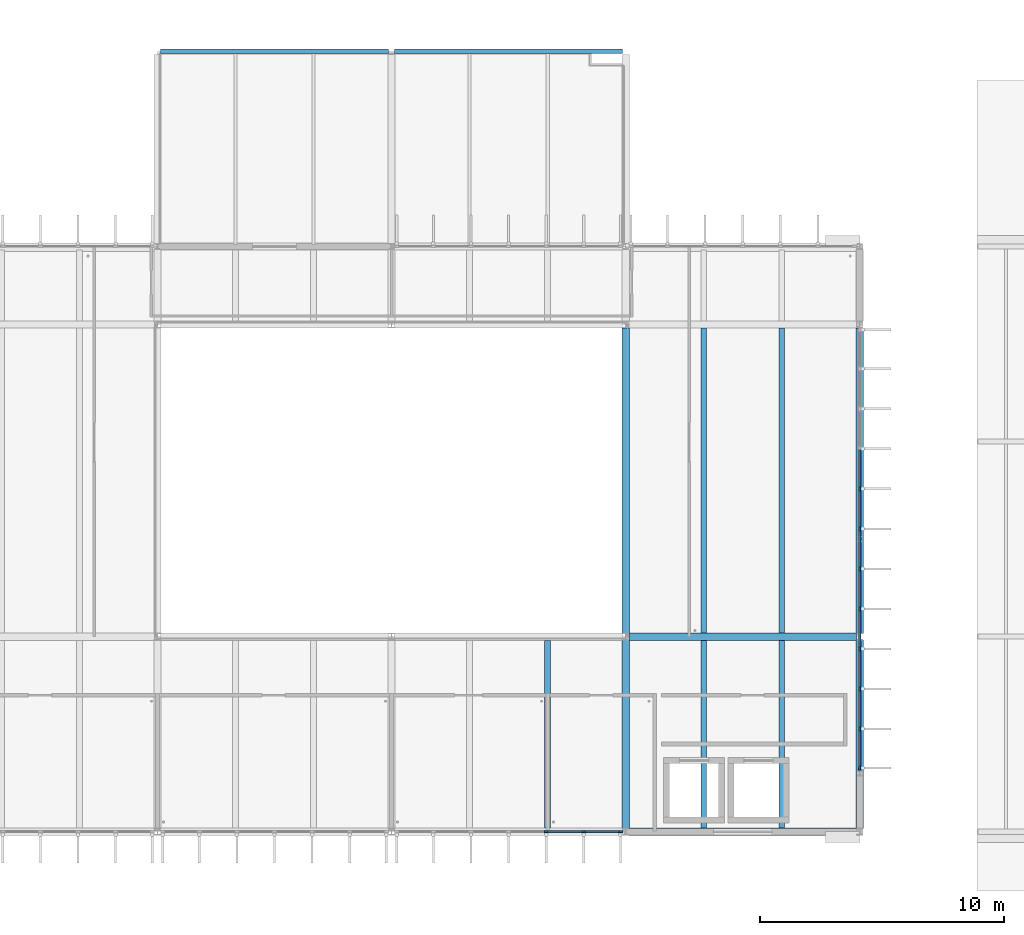
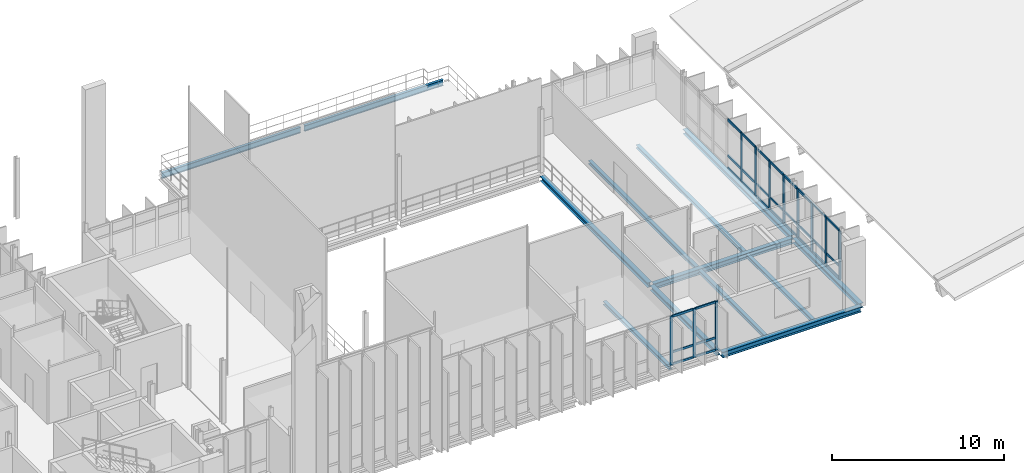
# One storey, part 15 of 41: 41 members, 13 beams, 2 elements without a shape of their own.
"""IFC4 building model written with IfcOpenShell, lengths in metres."""

from ifc_helpers import new_model, si_unit, direction, frame, origin, origin_2d, place, context, subcontext, project, spatial, rectangle, i_section, extrude, material, material_profile, profile_set, type_object, element, aggregate, save


model = new_model("IFC4")

# Units and contexts
model_context = context("Model", 3, precision=1e-05, world=origin(), true_north=direction((0.0, 1.0)))
body_context = subcontext(model_context, "Body", "Model", "MODEL_VIEW")
ifc_project = project(units=[si_unit("LENGTHUNIT", "METRE"), si_unit("AREAUNIT", "SQUARE_METRE"), si_unit("VOLUMEUNIT", "CUBIC_METRE"), si_unit("PLANEANGLEUNIT", "RADIAN"), si_unit("MASSUNIT", "GRAM", prefix="KILO")], contexts=[model_context])

# Site, building, storey
site_placement = place(None, origin())
site = spatial("IfcSite", under=ifc_project, at=site_placement, CompositionType="ELEMENT")
building_placement = place(site_placement, origin())
building = spatial("IfcBuilding", under=site, at=building_placement, Name="Dunescarp Central Library", CompositionType="ELEMENT")
storey_placement = place(building_placement, frame((0.0, 0.0, 23.10009765625)))
storey = spatial("IfcBuildingStorey", under=building, at=storey_placement, Name="L05", CompositionType="ELEMENT", Elevation=23.10009765625)

# Curtain wall, members
ifc_material_1 = material(Name="Marine-grade anodised aluminium 6063-T6", Category="aluminium")
curtain_wall_type = type_object("IfcCurtainWallType", Name="ARC-CW-STICK", PredefinedType="NOTDEFINED", material=ifc_material_1)
curtain_wall_1_placement = place(storey_placement, origin())
curtain_wall_1 = element("IfcCurtainWall", 1, at=curtain_wall_1_placement, inside=storey, type_object=curtain_wall_type, Name="L05 curtain wall CW-V2-076", PredefinedType="NOTDEFINED")
ifc_material_profile_1 = material_profile(ifc_material_1, rectangle(XDim=0.080078125, YDim=0.179931640625, at=origin_2d()), Name="AL 80x180")
ifc_profile_set_1 = profile_set([ifc_material_profile_1], Name="Marine-grade anodised aluminium 6063-T6")
member_type_1 = type_object("IfcMemberType", Name="ARC-CWM-180", PredefinedType="MULLION", material=ifc_profile_set_1)
member_1_placement = place(storey_placement, frame((66.985107421875, 4.800048828125, 0.0), z_axis=(0.0, 0.0, 1.0), x_axis=(0.0, -1.0, 0.0)))
member_1 = element("IfcMember", 2, at=member_1_placement, type_object=member_type_1, Name="CW-V2-076 mullion 1", PredefinedType="MULLION", context=body_context, shape_type="SweptSolid", body=[
    extrude(rectangle(XDim=0.080078125, YDim=0.179931640625, at=origin_2d()), origin(), (0.0, 0.0, 1.0), 3.472900390625),
])
member_2_placement = place(storey_placement, frame((65.4833984375, 4.800048828125, 0.0), z_axis=(0.0, 0.0, 1.0), x_axis=(0.0, -1.0, 0.0)))
member_2 = element("IfcMember", 3, at=member_2_placement, type_object=member_type_1, Name="CW-V2-076 mullion 2", PredefinedType="MULLION", context=body_context, shape_type="SweptSolid", body=[
    extrude(rectangle(XDim=0.080078125, YDim=0.179931640625, at=origin_2d()), origin(), (0.0, 0.0, 1.0), 3.472900390625),
])
member_3_placement = place(storey_placement, frame((63.941650390625, 4.800048828125, 0.0), z_axis=(0.0, 0.0, 1.0), x_axis=(0.0, -1.0, 0.0)))
member_3 = element("IfcMember", 4, at=member_3_placement, type_object=member_type_1, Name="CW-V2-076 mullion 3", PredefinedType="MULLION", context=body_context, shape_type="SweptSolid", body=[
    extrude(rectangle(XDim=0.080078125, YDim=0.179931640625, at=origin_2d()), origin(), (0.0, 0.0, 1.0), 3.472900390625),
])

curtain_wall_2_placement = place(storey_placement, origin())
curtain_wall_2 = element("IfcCurtainWall", 5, at=curtain_wall_2_placement, inside=storey, type_object=curtain_wall_type, Name="L05 curtain wall CW-V2-080", PredefinedType="NOTDEFINED")
member_4_placement = place(storey_placement, frame((76.800048828125, 18.861328125, 0.0), z_axis=(0.0, 0.0, 1.0), x_axis=(1.0, 0.0, 0.0)))
member_4 = element("IfcMember", 6, at=member_4_placement, type_object=member_type_1, Name="CW-V2-080 mullion 5", PredefinedType="MULLION", context=body_context, shape_type="SweptSolid", body=[
    extrude(rectangle(XDim=0.080078125, YDim=0.179931640625, at=origin_2d()), origin(), (0.0, 0.0, 1.0), 3.472900390625),
])
member_5_placement = place(storey_placement, frame((76.800048828125, 17.220458984375, 0.0), z_axis=(0.0, 0.0, 1.0), x_axis=(1.0, 0.0, 0.0)))
member_5 = element("IfcMember", 7, at=member_5_placement, type_object=member_type_1, Name="CW-V2-080 mullion 6", PredefinedType="MULLION", context=body_context, shape_type="SweptSolid", body=[
    extrude(rectangle(XDim=0.080078125, YDim=0.179931640625, at=origin_2d()), origin(), (0.0, 0.0, 1.0), 3.472900390625),
])
member_6_placement = place(storey_placement, frame((76.800048828125, 15.57958984375, 0.0), z_axis=(0.0, 0.0, 1.0), x_axis=(1.0, 0.0, 0.0)))
member_6 = element("IfcMember", 8, at=member_6_placement, type_object=member_type_1, Name="CW-V2-080 mullion 7", PredefinedType="MULLION", context=body_context, shape_type="SweptSolid", body=[
    extrude(rectangle(XDim=0.080078125, YDim=0.179931640625, at=origin_2d()), origin(), (0.0, 0.0, 1.0), 3.472900390625),
])
member_7_placement = place(storey_placement, frame((76.800048828125, 13.938720703125, 0.0), z_axis=(0.0, 0.0, 1.0), x_axis=(1.0, 0.0, 0.0)))
member_7 = element("IfcMember", 9, at=member_7_placement, type_object=member_type_1, Name="CW-V2-080 mullion 8", PredefinedType="MULLION", context=body_context, shape_type="SweptSolid", body=[
    extrude(rectangle(XDim=0.080078125, YDim=0.179931640625, at=origin_2d()), origin(), (0.0, 0.0, 1.0), 3.472900390625),
])
member_8_placement = place(storey_placement, frame((76.800048828125, 12.297607421875, 0.0), z_axis=(0.0, 0.0, 1.0), x_axis=(1.0, 0.0, 0.0)))
member_8 = element("IfcMember", 10, at=member_8_placement, type_object=member_type_1, Name="CW-V2-080 mullion 9", PredefinedType="MULLION", context=body_context, shape_type="SweptSolid", body=[
    extrude(rectangle(XDim=0.080078125, YDim=0.179931640625, at=origin_2d()), origin(), (0.0, 0.0, 1.0), 3.472900390625),
])
member_9_placement = place(storey_placement, frame((76.800048828125, 10.65673828125, 0.0), z_axis=(0.0, 0.0, 1.0), x_axis=(1.0, 0.0, 0.0)))
member_9 = element("IfcMember", 11, at=member_9_placement, type_object=member_type_1, Name="CW-V2-080 mullion 10", PredefinedType="MULLION", context=body_context, shape_type="SweptSolid", body=[
    extrude(rectangle(XDim=0.080078125, YDim=0.179931640625, at=origin_2d()), origin(), (0.0, 0.0, 1.0), 3.472900390625),
])
member_10_placement = place(storey_placement, frame((76.800048828125, 9.015869140625, 0.0), z_axis=(0.0, 0.0, 1.0), x_axis=(1.0, 0.0, 0.0)))
member_10 = element("IfcMember", 12, at=member_10_placement, type_object=member_type_1, Name="CW-V2-080 mullion 11", PredefinedType="MULLION", context=body_context, shape_type="SweptSolid", body=[
    extrude(rectangle(XDim=0.080078125, YDim=0.179931640625, at=origin_2d()), origin(), (0.0, 0.0, 1.0), 3.472900390625),
])
member_11_placement = place(storey_placement, frame((76.800048828125, 7.4150390625, 0.0), z_axis=(0.0, 0.0, 1.0), x_axis=(1.0, 0.0, 0.0)))
member_11 = element("IfcMember", 13, at=member_11_placement, type_object=member_type_1, Name="CW-V2-080 mullion 12", PredefinedType="MULLION", context=body_context, shape_type="SweptSolid", body=[
    extrude(rectangle(XDim=0.080078125, YDim=0.179931640625, at=origin_2d()), origin(), (0.0, 0.0, 1.0), 3.472900390625),
])

# Member
ifc_material_profile_2 = material_profile(ifc_material_1, rectangle(XDim=0.080078125, YDim=0.14990234375, at=origin_2d()), Name="AL 80x150")
ifc_profile_set_2 = profile_set([ifc_material_profile_2], Name="Marine-grade anodised aluminium 6063-T6")
member_type_2 = type_object("IfcMemberType", Name="ARC-CWT-150", PredefinedType="USERDEFINED", material=ifc_profile_set_2)
member_12_placement = place(storey_placement, frame((66.945068359375, 4.800048828125, 0.039794921875), z_axis=(-1.0, 0.0, 0.0), x_axis=(0.0, -1.0, 0.0)))
member_12 = element("IfcMember", 14, at=member_12_placement, type_object=member_type_2, Name="CW-V2-076 transom 1.1", ObjectType="TRANSOM", PredefinedType="USERDEFINED", context=body_context, shape_type="SweptSolid", body=[
    extrude(rectangle(XDim=0.080078125, YDim=0.14990234375, at=origin_2d()), origin(), (0.0, 0.0, 1.0), 1.421630859375),
])

member_13_placement = place(storey_placement, frame((66.945068359375, 4.800048828125, 0.89990234375), z_axis=(-1.0, 0.0, 0.0), x_axis=(0.0, -1.0, 0.0)))
member_13 = element("IfcMember", 15, at=member_13_placement, type_object=member_type_2, Name="CW-V2-076 transom 1.2", ObjectType="TRANSOM", PredefinedType="USERDEFINED", context=body_context, shape_type="SweptSolid", body=[
    extrude(rectangle(XDim=0.080078125, YDim=0.14990234375, at=origin_2d()), origin(), (0.0, 0.0, 1.0), 1.421630859375),
])

member_14_placement = place(storey_placement, frame((66.945068359375, 4.800048828125, 3.432861328125), z_axis=(-1.0, 0.0, 0.0), x_axis=(0.0, -1.0, 0.0)))
member_14 = element("IfcMember", 16, at=member_14_placement, type_object=member_type_2, Name="CW-V2-076 transom 1.3", ObjectType="TRANSOM", PredefinedType="USERDEFINED", context=body_context, shape_type="SweptSolid", body=[
    extrude(rectangle(XDim=0.080078125, YDim=0.14990234375, at=origin_2d()), origin(), (0.0, 0.0, 1.0), 1.421630859375),
])

member_15_placement = place(storey_placement, frame((65.443359375, 4.800048828125, 0.039794921875), z_axis=(-1.0, 0.0, 0.0), x_axis=(0.0, -1.0, 0.0)))
member_15 = element("IfcMember", 17, at=member_15_placement, type_object=member_type_2, Name="CW-V2-076 transom 2.1", ObjectType="TRANSOM", PredefinedType="USERDEFINED", context=body_context, shape_type="SweptSolid", body=[
    extrude(rectangle(XDim=0.080078125, YDim=0.14990234375, at=origin_2d()), origin(), (0.0, 0.0, 1.0), 1.461669921875),
])

member_16_placement = place(storey_placement, frame((65.443359375, 4.800048828125, 0.89990234375), z_axis=(-1.0, 0.0, 0.0), x_axis=(0.0, -1.0, 0.0)))
member_16 = element("IfcMember", 18, at=member_16_placement, type_object=member_type_2, Name="CW-V2-076 transom 2.2", ObjectType="TRANSOM", PredefinedType="USERDEFINED", context=body_context, shape_type="SweptSolid", body=[
    extrude(rectangle(XDim=0.080078125, YDim=0.14990234375, at=origin_2d()), origin(), (0.0, 0.0, 1.0), 1.461669921875),
])

member_17_placement = place(storey_placement, frame((65.443359375, 4.800048828125, 3.432861328125), z_axis=(-1.0, 0.0, 0.0), x_axis=(0.0, -1.0, 0.0)))
member_17 = element("IfcMember", 19, at=member_17_placement, type_object=member_type_2, Name="CW-V2-076 transom 2.3", ObjectType="TRANSOM", PredefinedType="USERDEFINED", context=body_context, shape_type="SweptSolid", body=[
    extrude(rectangle(XDim=0.080078125, YDim=0.14990234375, at=origin_2d()), origin(), (0.0, 0.0, 1.0), 1.461669921875),
])

aggregate(curtain_wall_1, [member_1, member_2, member_3, member_12, member_13, member_14, member_15, member_16, member_17])

member_18_placement = place(storey_placement, frame((76.800048828125, 20.462158203125, 0.039794921875), z_axis=(0.0, -1.0, 0.0), x_axis=(1.0, 0.0, 0.0)))
member_18 = element("IfcMember", 20, at=member_18_placement, type_object=member_type_2, Name="CW-V2-080 transom 4.1", ObjectType="TRANSOM", PredefinedType="USERDEFINED", context=body_context, shape_type="SweptSolid", body=[
    extrude(rectangle(XDim=0.080078125, YDim=0.14990234375, at=origin_2d()), origin(), (0.0, 0.0, 1.0), 1.560791015625),
])

member_19_placement = place(storey_placement, frame((76.800048828125, 20.462158203125, 0.89990234375), z_axis=(0.0, -1.0, 0.0), x_axis=(1.0, 0.0, 0.0)))
member_19 = element("IfcMember", 21, at=member_19_placement, type_object=member_type_2, Name="CW-V2-080 transom 4.2", ObjectType="TRANSOM", PredefinedType="USERDEFINED", context=body_context, shape_type="SweptSolid", body=[
    extrude(rectangle(XDim=0.080078125, YDim=0.14990234375, at=origin_2d()), origin(), (0.0, 0.0, 1.0), 1.560791015625),
])

member_20_placement = place(storey_placement, frame((76.800048828125, 20.462158203125, 3.432861328125), z_axis=(0.0, -1.0, 0.0), x_axis=(1.0, 0.0, 0.0)))
member_20 = element("IfcMember", 22, at=member_20_placement, type_object=member_type_2, Name="CW-V2-080 transom 4.3", ObjectType="TRANSOM", PredefinedType="USERDEFINED", context=body_context, shape_type="SweptSolid", body=[
    extrude(rectangle(XDim=0.080078125, YDim=0.14990234375, at=origin_2d()), origin(), (0.0, 0.0, 1.0), 1.560791015625),
])

member_21_placement = place(storey_placement, frame((76.800048828125, 18.8212890625, 0.039794921875), z_axis=(0.0, -1.0, 0.0), x_axis=(1.0, 0.0, 0.0)))
member_21 = element("IfcMember", 23, at=member_21_placement, type_object=member_type_2, Name="CW-V2-080 transom 5.1", ObjectType="TRANSOM", PredefinedType="USERDEFINED", context=body_context, shape_type="SweptSolid", body=[
    extrude(rectangle(XDim=0.080078125, YDim=0.14990234375, at=origin_2d()), origin(), (0.0, 0.0, 1.0), 1.560791015625),
])

member_22_placement = place(storey_placement, frame((76.800048828125, 18.8212890625, 0.89990234375), z_axis=(0.0, -1.0, 0.0), x_axis=(1.0, 0.0, 0.0)))
member_22 = element("IfcMember", 24, at=member_22_placement, type_object=member_type_2, Name="CW-V2-080 transom 5.2", ObjectType="TRANSOM", PredefinedType="USERDEFINED", context=body_context, shape_type="SweptSolid", body=[
    extrude(rectangle(XDim=0.080078125, YDim=0.14990234375, at=origin_2d()), origin(), (0.0, 0.0, 1.0), 1.560791015625),
])

member_23_placement = place(storey_placement, frame((76.800048828125, 18.8212890625, 3.432861328125), z_axis=(0.0, -1.0, 0.0), x_axis=(1.0, 0.0, 0.0)))
member_23 = element("IfcMember", 25, at=member_23_placement, type_object=member_type_2, Name="CW-V2-080 transom 5.3", ObjectType="TRANSOM", PredefinedType="USERDEFINED", context=body_context, shape_type="SweptSolid", body=[
    extrude(rectangle(XDim=0.080078125, YDim=0.14990234375, at=origin_2d()), origin(), (0.0, 0.0, 1.0), 1.560791015625),
])

member_24_placement = place(storey_placement, frame((76.800048828125, 17.180419921875, 0.039794921875), z_axis=(0.0, -1.0, 0.0), x_axis=(1.0, 0.0, 0.0)))
member_24 = element("IfcMember", 26, at=member_24_placement, type_object=member_type_2, Name="CW-V2-080 transom 6.1", ObjectType="TRANSOM", PredefinedType="USERDEFINED", context=body_context, shape_type="SweptSolid", body=[
    extrude(rectangle(XDim=0.080078125, YDim=0.14990234375, at=origin_2d()), origin(), (0.0, 0.0, 1.0), 1.560791015625),
])

member_25_placement = place(storey_placement, frame((76.800048828125, 17.180419921875, 0.89990234375), z_axis=(0.0, -1.0, 0.0), x_axis=(1.0, 0.0, 0.0)))
member_25 = element("IfcMember", 27, at=member_25_placement, type_object=member_type_2, Name="CW-V2-080 transom 6.2", ObjectType="TRANSOM", PredefinedType="USERDEFINED", context=body_context, shape_type="SweptSolid", body=[
    extrude(rectangle(XDim=0.080078125, YDim=0.14990234375, at=origin_2d()), origin(), (0.0, 0.0, 1.0), 1.560791015625),
])

member_26_placement = place(storey_placement, frame((76.800048828125, 17.180419921875, 3.432861328125), z_axis=(0.0, -1.0, 0.0), x_axis=(1.0, 0.0, 0.0)))
member_26 = element("IfcMember", 28, at=member_26_placement, type_object=member_type_2, Name="CW-V2-080 transom 6.3", ObjectType="TRANSOM", PredefinedType="USERDEFINED", context=body_context, shape_type="SweptSolid", body=[
    extrude(rectangle(XDim=0.080078125, YDim=0.14990234375, at=origin_2d()), origin(), (0.0, 0.0, 1.0), 1.560791015625),
])

member_27_placement = place(storey_placement, frame((76.800048828125, 15.53955078125, 0.039794921875), z_axis=(0.0, -1.0, 0.0), x_axis=(1.0, 0.0, 0.0)))
member_27 = element("IfcMember", 29, at=member_27_placement, type_object=member_type_2, Name="CW-V2-080 transom 7.1", ObjectType="TRANSOM", PredefinedType="USERDEFINED", context=body_context, shape_type="SweptSolid", body=[
    extrude(rectangle(XDim=0.080078125, YDim=0.14990234375, at=origin_2d()), origin(), (0.0, 0.0, 1.0), 1.56103515625),
])

member_28_placement = place(storey_placement, frame((76.800048828125, 15.53955078125, 0.89990234375), z_axis=(0.0, -1.0, 0.0), x_axis=(1.0, 0.0, 0.0)))
member_28 = element("IfcMember", 30, at=member_28_placement, type_object=member_type_2, Name="CW-V2-080 transom 7.2", ObjectType="TRANSOM", PredefinedType="USERDEFINED", context=body_context, shape_type="SweptSolid", body=[
    extrude(rectangle(XDim=0.080078125, YDim=0.14990234375, at=origin_2d()), origin(), (0.0, 0.0, 1.0), 1.56103515625),
])

member_29_placement = place(storey_placement, frame((76.800048828125, 15.53955078125, 3.432861328125), z_axis=(0.0, -1.0, 0.0), x_axis=(1.0, 0.0, 0.0)))
member_29 = element("IfcMember", 31, at=member_29_placement, type_object=member_type_2, Name="CW-V2-080 transom 7.3", ObjectType="TRANSOM", PredefinedType="USERDEFINED", context=body_context, shape_type="SweptSolid", body=[
    extrude(rectangle(XDim=0.080078125, YDim=0.14990234375, at=origin_2d()), origin(), (0.0, 0.0, 1.0), 1.56103515625),
])

member_30_placement = place(storey_placement, frame((76.800048828125, 13.898681640625, 0.039794921875), z_axis=(0.0, -1.0, 0.0), x_axis=(1.0, 0.0, 0.0)))
member_30 = element("IfcMember", 32, at=member_30_placement, type_object=member_type_2, Name="CW-V2-080 transom 8.1", ObjectType="TRANSOM", PredefinedType="USERDEFINED", context=body_context, shape_type="SweptSolid", body=[
    extrude(rectangle(XDim=0.080078125, YDim=0.14990234375, at=origin_2d()), origin(), (0.0, 0.0, 1.0), 1.56103515625),
])

member_31_placement = place(storey_placement, frame((76.800048828125, 13.898681640625, 0.89990234375), z_axis=(0.0, -1.0, 0.0), x_axis=(1.0, 0.0, 0.0)))
member_31 = element("IfcMember", 33, at=member_31_placement, type_object=member_type_2, Name="CW-V2-080 transom 8.2", ObjectType="TRANSOM", PredefinedType="USERDEFINED", context=body_context, shape_type="SweptSolid", body=[
    extrude(rectangle(XDim=0.080078125, YDim=0.14990234375, at=origin_2d()), origin(), (0.0, 0.0, 1.0), 1.56103515625),
])

member_32_placement = place(storey_placement, frame((76.800048828125, 13.898681640625, 3.432861328125), z_axis=(0.0, -1.0, 0.0), x_axis=(1.0, 0.0, 0.0)))
member_32 = element("IfcMember", 34, at=member_32_placement, type_object=member_type_2, Name="CW-V2-080 transom 8.3", ObjectType="TRANSOM", PredefinedType="USERDEFINED", context=body_context, shape_type="SweptSolid", body=[
    extrude(rectangle(XDim=0.080078125, YDim=0.14990234375, at=origin_2d()), origin(), (0.0, 0.0, 1.0), 1.56103515625),
])

member_33_placement = place(storey_placement, frame((76.800048828125, 12.2578125, 0.039794921875), z_axis=(0.0, -1.0, 0.0), x_axis=(1.0, 0.0, 0.0)))
member_33 = element("IfcMember", 35, at=member_33_placement, type_object=member_type_2, Name="CW-V2-080 transom 9.1", ObjectType="TRANSOM", PredefinedType="USERDEFINED", context=body_context, shape_type="SweptSolid", body=[
    extrude(rectangle(XDim=0.080078125, YDim=0.14990234375, at=origin_2d()), origin(), (0.0, 0.0, 1.0), 1.56103515625),
])

member_34_placement = place(storey_placement, frame((76.800048828125, 12.2578125, 0.89990234375), z_axis=(0.0, -1.0, 0.0), x_axis=(1.0, 0.0, 0.0)))
member_34 = element("IfcMember", 36, at=member_34_placement, type_object=member_type_2, Name="CW-V2-080 transom 9.2", ObjectType="TRANSOM", PredefinedType="USERDEFINED", context=body_context, shape_type="SweptSolid", body=[
    extrude(rectangle(XDim=0.080078125, YDim=0.14990234375, at=origin_2d()), origin(), (0.0, 0.0, 1.0), 1.56103515625),
])

member_35_placement = place(storey_placement, frame((76.800048828125, 12.2578125, 3.432861328125), z_axis=(0.0, -1.0, 0.0), x_axis=(1.0, 0.0, 0.0)))
member_35 = element("IfcMember", 37, at=member_35_placement, type_object=member_type_2, Name="CW-V2-080 transom 9.3", ObjectType="TRANSOM", PredefinedType="USERDEFINED", context=body_context, shape_type="SweptSolid", body=[
    extrude(rectangle(XDim=0.080078125, YDim=0.14990234375, at=origin_2d()), origin(), (0.0, 0.0, 1.0), 1.56103515625),
])

member_36_placement = place(storey_placement, frame((76.800048828125, 10.61669921875, 0.039794921875), z_axis=(0.0, -1.0, 0.0), x_axis=(1.0, 0.0, 0.0)))
member_36 = element("IfcMember", 38, at=member_36_placement, type_object=member_type_2, Name="CW-V2-080 transom 10.1", ObjectType="TRANSOM", PredefinedType="USERDEFINED", context=body_context, shape_type="SweptSolid", body=[
    extrude(rectangle(XDim=0.080078125, YDim=0.14990234375, at=origin_2d()), origin(), (0.0, 0.0, 1.0), 1.560791015625),
])

member_37_placement = place(storey_placement, frame((76.800048828125, 10.61669921875, 0.89990234375), z_axis=(0.0, -1.0, 0.0), x_axis=(1.0, 0.0, 0.0)))
member_37 = element("IfcMember", 39, at=member_37_placement, type_object=member_type_2, Name="CW-V2-080 transom 10.2", ObjectType="TRANSOM", PredefinedType="USERDEFINED", context=body_context, shape_type="SweptSolid", body=[
    extrude(rectangle(XDim=0.080078125, YDim=0.14990234375, at=origin_2d()), origin(), (0.0, 0.0, 1.0), 1.560791015625),
])

member_38_placement = place(storey_placement, frame((76.800048828125, 10.61669921875, 3.432861328125), z_axis=(0.0, -1.0, 0.0), x_axis=(1.0, 0.0, 0.0)))
member_38 = element("IfcMember", 40, at=member_38_placement, type_object=member_type_2, Name="CW-V2-080 transom 10.3", ObjectType="TRANSOM", PredefinedType="USERDEFINED", context=body_context, shape_type="SweptSolid", body=[
    extrude(rectangle(XDim=0.080078125, YDim=0.14990234375, at=origin_2d()), origin(), (0.0, 0.0, 1.0), 1.560791015625),
])

member_39_placement = place(storey_placement, frame((76.800048828125, 8.975830078125, 0.039794921875), z_axis=(0.0, -1.0, 0.0), x_axis=(1.0, 0.0, 0.0)))
member_39 = element("IfcMember", 41, at=member_39_placement, type_object=member_type_2, Name="CW-V2-080 transom 11.1", ObjectType="TRANSOM", PredefinedType="USERDEFINED", context=body_context, shape_type="SweptSolid", body=[
    extrude(rectangle(XDim=0.080078125, YDim=0.14990234375, at=origin_2d()), origin(), (0.0, 0.0, 1.0), 1.520751953125),
])

member_40_placement = place(storey_placement, frame((76.800048828125, 8.975830078125, 0.89990234375), z_axis=(0.0, -1.0, 0.0), x_axis=(1.0, 0.0, 0.0)))
member_40 = element("IfcMember", 42, at=member_40_placement, type_object=member_type_2, Name="CW-V2-080 transom 11.2", ObjectType="TRANSOM", PredefinedType="USERDEFINED", context=body_context, shape_type="SweptSolid", body=[
    extrude(rectangle(XDim=0.080078125, YDim=0.14990234375, at=origin_2d()), origin(), (0.0, 0.0, 1.0), 1.520751953125),
])

member_41_placement = place(storey_placement, frame((76.800048828125, 8.975830078125, 3.432861328125), z_axis=(0.0, -1.0, 0.0), x_axis=(1.0, 0.0, 0.0)))
member_41 = element("IfcMember", 43, at=member_41_placement, type_object=member_type_2, Name="CW-V2-080 transom 11.3", ObjectType="TRANSOM", PredefinedType="USERDEFINED", context=body_context, shape_type="SweptSolid", body=[
    extrude(rectangle(XDim=0.080078125, YDim=0.14990234375, at=origin_2d()), origin(), (0.0, 0.0, 1.0), 1.520751953125),
])

aggregate(curtain_wall_2, [member_4, member_5, member_6, member_7, member_8, member_9, member_10, member_11, member_18, member_19, member_20, member_21, member_22, member_23, member_24, member_25, member_26, member_27, member_28, member_29, member_30, member_31, member_32, member_33, member_34, member_35, member_36, member_37, member_38, member_39, member_40, member_41])

# Beams
ifc_material_2 = material(Name="Steel S355JR", Category="steel")
ifc_material_profile_3 = material_profile(ifc_material_2, i_section(OverallWidth=0.300048828125, OverallDepth=0.330078125, WebThickness=0.009521484375, FlangeThickness=0.0166015625, at=origin_2d()), Name="HEA 340")
ifc_profile_set_3 = profile_set([ifc_material_profile_3], Name="Steel S355JR")
beam_type_1 = type_object("IfcBeamType", Name="STR-BM-HEA340", PredefinedType="BEAM", material=ifc_profile_set_3)
beam_1_placement = place(storey_placement, frame((67.199951171875, 4.93505859375, -0.385009765625), z_axis=(0.0, 1.0, 0.0), x_axis=(-1.0, 0.0, 0.0)))
element("IfcBeam", 44, at=beam_1_placement, inside=storey, type_object=beam_type_1, Name="L05 girder BM-L05-0633", PredefinedType="BEAM", context=body_context, shape_type="SweptSolid", body=[
    extrude(i_section(OverallWidth=0.300048828125, OverallDepth=0.330078125, WebThickness=0.009521484375, FlangeThickness=0.0166015625, at=origin_2d()), origin(), (0.0, 0.0, 1.0), 7.72998046875),
])
beam_2_placement = place(storey_placement, frame((67.199951171875, 12.93505859375, -0.385009765625), z_axis=(0.0, 1.0, 0.0), x_axis=(-1.0, 0.0, 0.0)))
element("IfcBeam", 45, at=beam_2_placement, inside=storey, type_object=beam_type_1, Name="L05 girder BM-L05-0637", PredefinedType="BEAM", context=body_context, shape_type="SweptSolid", body=[
    extrude(i_section(OverallWidth=0.300048828125, OverallDepth=0.330078125, WebThickness=0.009521484375, FlangeThickness=0.0166015625, at=origin_2d()), origin(), (0.0, 0.0, 1.0), 12.530029296875),
])
beam_3_placement = place(storey_placement, frame((76.800048828125, 4.93505859375, -0.385009765625), z_axis=(0.0, 1.0, 0.0), x_axis=(-1.0, 0.0, 0.0)))
element("IfcBeam", 46, at=beam_3_placement, inside=storey, type_object=beam_type_1, Name="L05 girder BM-L05-0644", PredefinedType="BEAM", context=body_context, shape_type="SweptSolid", body=[
    extrude(i_section(OverallWidth=0.300048828125, OverallDepth=0.330078125, WebThickness=0.009521484375, FlangeThickness=0.0166015625, at=origin_2d()), origin(), (0.0, 0.0, 1.0), 7.72998046875),
])
beam_4_placement = place(storey_placement, frame((76.800048828125, 12.93505859375, -0.385009765625), z_axis=(0.0, 1.0, 0.0), x_axis=(-1.0, 0.0, 0.0)))
element("IfcBeam", 47, at=beam_4_placement, inside=storey, type_object=beam_type_1, Name="L05 girder BM-L05-0648", PredefinedType="BEAM", context=body_context, shape_type="SweptSolid", body=[
    extrude(i_section(OverallWidth=0.300048828125, OverallDepth=0.330078125, WebThickness=0.009521484375, FlangeThickness=0.0166015625, at=origin_2d()), origin(), (0.0, 0.0, 1.0), 12.530029296875),
])
ifc_material_profile_4 = material_profile(ifc_material_2, i_section(OverallWidth=0.300048828125, OverallDepth=0.39990234375, WebThickness=0.013427734375, FlangeThickness=0.02392578125, at=origin_2d()), Name="HEB 400")
ifc_profile_set_4 = profile_set([ifc_material_profile_4], Name="Steel S355JR")
beam_type_2 = type_object("IfcBeamType", Name="STR-BM-HEB400", PredefinedType="BEAM", material=ifc_profile_set_4)
for number, where, z_axis, x_axis, name in (
    (48, (67.327880859375, 4.800048828125, -0.420166015625), (1.0, 0.0, 0.0), (0.0, 1.0, 0.0), "L05 girder BM-L05-0642"),
    (49, (67.327880859375, 12.800048828125, -0.420166015625), (1.0, 0.0, 0.0), (0.0, 1.0, 0.0), "L05 girder BM-L05-0643"),
):
    element("IfcBeam", number, at=place(storey_placement, frame(where, z_axis=z_axis, x_axis=x_axis)), inside=storey, type_object=beam_type_2, Name=name, PredefinedType="BEAM", context=body_context, shape_type="SweptSolid", body=[
        extrude(i_section(OverallWidth=0.300048828125, OverallDepth=0.39990234375, WebThickness=0.013427734375, FlangeThickness=0.02392578125, at=origin_2d()), origin(), (0.0, 0.0, 1.0), 9.34423828125),
    ])
ifc_material_profile_5 = material_profile(ifc_material_2, i_section(OverallWidth=0.239990234375, OverallDepth=0.22998046875, WebThickness=0.007568359375, FlangeThickness=0.011962890625, at=origin_2d()), Name="HEA 240")
ifc_profile_set_5 = profile_set([ifc_material_profile_5], Name="Steel S355JR")
beam_type_3 = type_object("IfcBeamType", Name="STR-JS-HEA240", PredefinedType="JOIST", material=ifc_profile_set_5)
for number, where, z_axis, x_axis, name in (
    (50, (64.0, 4.947998046875, -0.335205078125), (0.0, 1.0, 0.0), (-1.0, 0.0, 0.0), "L05 joist JS-L05-0635"),
    (51, (70.39990234375, 4.947998046875, -0.335205078125), (0.0, 1.0, 0.0), (-1.0, 0.0, 0.0), "L05 joist JS-L05-0645"),
    (52, (73.60009765625, 4.947998046875, -0.335205078125), (0.0, 1.0, 0.0), (-1.0, 0.0, 0.0), "L05 joist JS-L05-0646"),
):
    element("IfcBeam", number, at=place(storey_placement, frame(where, z_axis=z_axis, x_axis=x_axis)), inside=storey, type_object=beam_type_3, Name=name, PredefinedType="JOIST", context=body_context, shape_type="SweptSolid", body=[
        extrude(i_section(OverallWidth=0.239990234375, OverallDepth=0.22998046875, WebThickness=0.007568359375, FlangeThickness=0.011962890625, at=origin_2d()), origin(), (0.0, 0.0, 1.0), 7.7041015625),
    ])
for number, where, z_axis, x_axis, name in (
    (53, (70.39990234375, 12.947998046875, -0.335205078125), (0.0, 1.0, 0.0), (-1.0, 0.0, 0.0), "L05 joist JS-L05-0649"),
    (54, (73.60009765625, 12.947998046875, -0.335205078125), (0.0, 1.0, 0.0), (-1.0, 0.0, 0.0), "L05 joist JS-L05-0650"),
):
    element("IfcBeam", number, at=place(storey_placement, frame(where, z_axis=z_axis, x_axis=x_axis)), inside=storey, type_object=beam_type_3, Name=name, PredefinedType="JOIST", context=body_context, shape_type="SweptSolid", body=[
        extrude(i_section(OverallWidth=0.239990234375, OverallDepth=0.22998046875, WebThickness=0.007568359375, FlangeThickness=0.011962890625, at=origin_2d()), origin(), (0.0, 0.0, 1.0), 12.50390625),
    ])
ifc_material_profile_6 = material_profile(ifc_material_2, i_section(OverallWidth=0.177978515625, OverallDepth=0.406494140625, WebThickness=0.0078125, FlangeThickness=0.0126953125, at=origin_2d()), Name="UB 406x178x60")
ifc_profile_set_6 = profile_set([ifc_material_profile_6], Name="Steel S355JR")
beam_type_4 = type_object("IfcBeamType", Name="STR-SP-UB406", PredefinedType="SPANDREL", material=ifc_profile_set_6)
for number, where, z_axis, x_axis, name in (
    (55, (48.1279296875, 36.800048828125, -0.39306640625), (1.0, 0.0, 0.0), (0.0, 1.0, 0.0), "L05 girder BM-L05-1519"),
    (56, (57.72802734375, 36.800048828125, -0.39306640625), (1.0, 0.0, 0.0), (0.0, 1.0, 0.0), "L05 girder BM-L05-1524"),
):
    element("IfcBeam", number, at=place(storey_placement, frame(where, z_axis=z_axis, x_axis=x_axis)), inside=storey, type_object=beam_type_4, Name=name, PredefinedType="SPANDREL", context=body_context, shape_type="SweptSolid", body=[
        extrude(i_section(OverallWidth=0.177978515625, OverallDepth=0.406494140625, WebThickness=0.0078125, FlangeThickness=0.0126953125, at=origin_2d()), origin(), (0.0, 0.0, 1.0), 9.343994140625),
    ])

save(model, "model.ifc")
